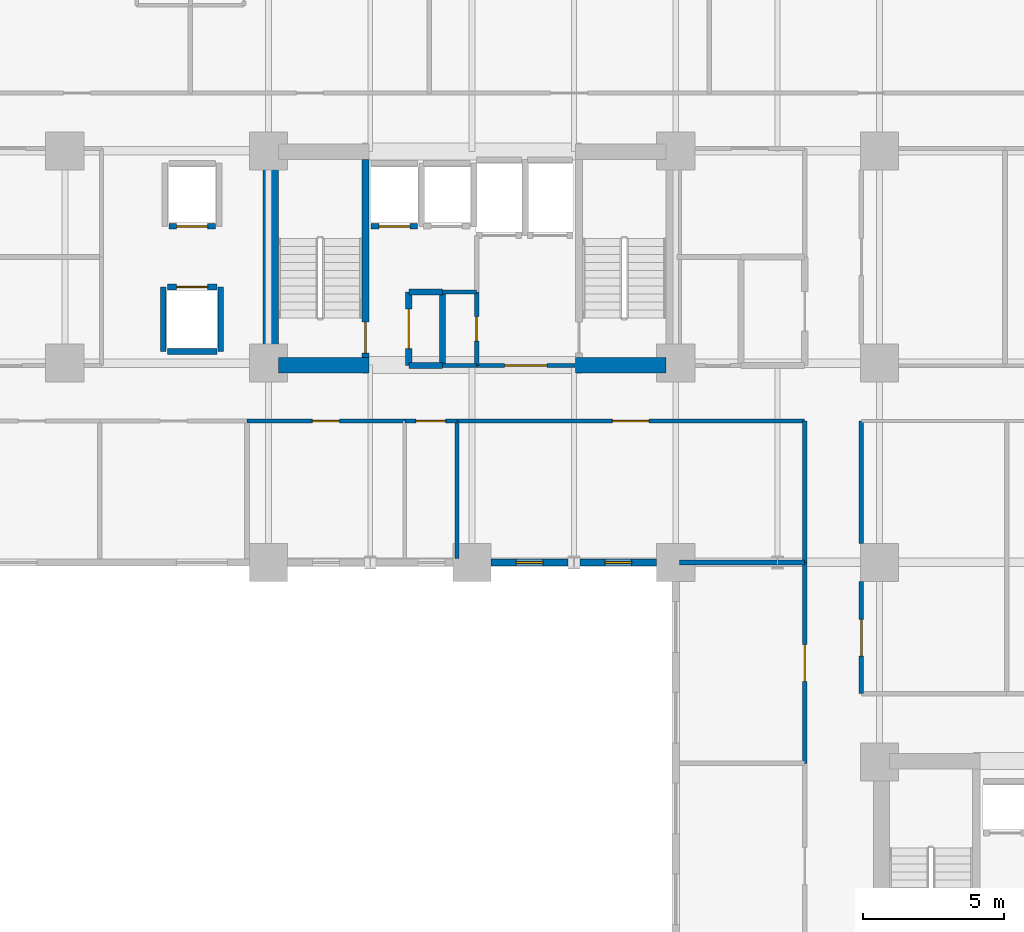
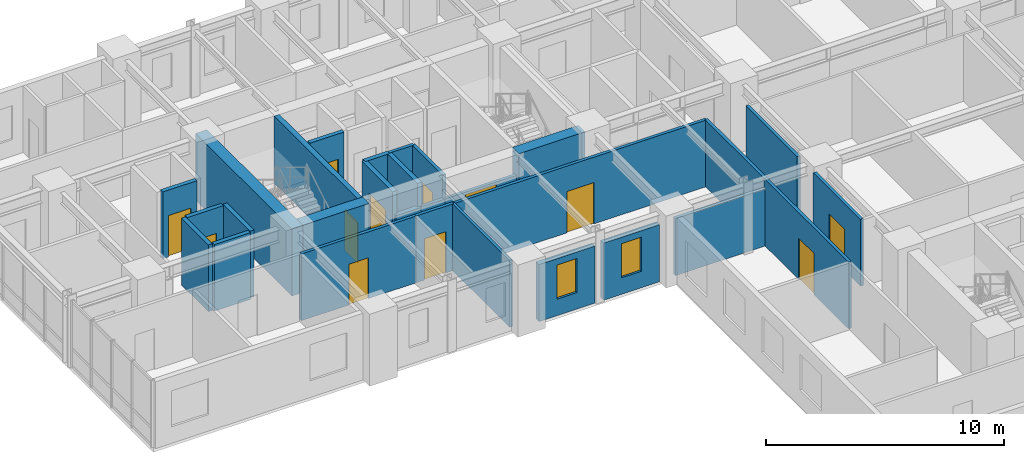
# One storey, part 11 of 19: 29 walls, 12 doors, 2 windows, 14 openings.
"""IFC4 building model written with IfcOpenShell, lengths in metres."""

from ifc_helpers import new_model, si_unit, direction, frame, frame_2d, origin, place, context, subcontext, project, spatial, rectangle, extrude, material, layer, layer_set, type_object, element, fill, save


model = new_model("IFC4")

# Units and contexts
model_context = context("Model", 3, precision=1e-05, world=origin(), true_north=direction((0.0, 1.0)))
body_context = subcontext(model_context, "Body", "Model", "MODEL_VIEW")
ifc_project = project(units=[si_unit("LENGTHUNIT", "METRE"), si_unit("AREAUNIT", "SQUARE_METRE"), si_unit("VOLUMEUNIT", "CUBIC_METRE"), si_unit("PLANEANGLEUNIT", "RADIAN"), si_unit("MASSUNIT", "GRAM", prefix="KILO")], contexts=[model_context])

# Site, building, storey
site_placement = place(None, origin())
site = spatial("IfcSite", under=ifc_project, at=site_placement, CompositionType="ELEMENT")
building_placement = place(site_placement, origin())
building = spatial("IfcBuilding", under=site, at=building_placement, Name="Kaliganga Portal Commons", CompositionType="ELEMENT")
storey_placement = place(building_placement, frame((0.0, 0.0, 47.5)))
storey = spatial("IfcBuildingStorey", under=building, at=storey_placement, Name="L11", CompositionType="ELEMENT", Elevation=47.5)

# Walls
ifc_material_1 = material(Name="Concrete C60/75", Category="concrete")
ifc_layer_1 = layer(ifc_material_1, 0.550048828125)
ifc_layer_set_1 = layer_set([ifc_layer_1], Name="Concrete C60/75")
wall_type_1 = type_object("IfcWallType", Name="WL-CORE-550", PredefinedType="SHEAR", material=ifc_layer_set_1)
wall_1_placement = place(storey_placement, frame((14.47509765625, 28.300048828125, 0.0), z_axis=(0.0, 0.0, 1.0), x_axis=(0.0, 1.0, 0.0)))
element("IfcWall", 1, at=wall_1_placement, inside=storey, type_object=wall_type_1, Name="Core A West Shear Wall L11", PredefinedType="SHEAR", context=body_context, shape_type="SweptSolid", body=[
    extrude(rectangle(XDim=8.099853515625, YDim=0.550048828125, at=frame_2d((4.0498046875, 0.0))), origin(), (0.0, 0.0, 1.0), 3.449951171875),
])
for number, where, z_axis, x_axis, name in (
    (2, (14.75, 28.574951171875, 0.0), (0.0, 0.0, 1.0), (1.0, 0.0, 0.0), "Core A S-West Shear Wall L11"),
    (3, (25.25, 28.574951171875, 0.0), (0.0, 0.0, 1.0), (1.0, 0.0, 0.0), "Core A S-East Shear Wall L11"),
):
    element("IfcWall", number, at=place(storey_placement, frame(where, z_axis=z_axis, x_axis=x_axis)), inside=storey, type_object=wall_type_1, Name=name, PredefinedType="SHEAR", context=body_context, shape_type="SweptSolid", body=[
        extrude(rectangle(XDim=3.199951171875, YDim=0.550048828125, at=frame_2d((1.60009765625, 0.0))), origin(), (0.0, 0.0, 1.0), 3.449951171875),
    ])

# Wall, opening, window
ifc_material_2 = material(Name="Insulated Aluminium-Clad Spandrel Assembly", Category="aluminium")
ifc_layer_2 = layer(ifc_material_2, 0.260009765625)
ifc_layer_set_2 = layer_set([ifc_layer_2], Name="Insulated Aluminium-Clad Spandrel Assembly")
wall_type_2 = type_object("IfcWallType", Name="WL-EXT-SPAND-260", PredefinedType="STANDARD", material=ifc_layer_set_2)
wall_2_placement = place(storey_placement, frame((24.990966796875, 21.60009765625, 0.0), z_axis=(0.0, 0.0, 1.0), x_axis=(-1.0, 0.0, 0.0)))
wall_2 = element("IfcWall", 4, at=wall_2_placement, inside=storey, type_object=wall_type_2, Name="Exterior Envelope Wall L11 P1-E04-S4", PredefinedType="STANDARD", context=body_context, shape_type="SweptSolid", body=[
    extrude(rectangle(XDim=2.715087890625, YDim=0.260009765625, at=frame_2d((1.357421875, 0.0))), origin(), (0.0, 0.0, 1.0), 2.929931640625),
])
opening_1_placement = place(wall_2_placement, frame((0.882568359375, 0.0, 0.85009765625)))
opening_1 = element("IfcOpeningElement", 5, at=opening_1_placement, cuts=wall_2, Name="Opening W-04", PredefinedType="OPENING", context=body_context, shape_type="SweptSolid", body=[
    extrude(rectangle(XDim=0.949951171875, YDim=1.75, at=frame_2d((0.47509765625, 0.875))), frame((0.0, 0.14013671875, 0.0), z_axis=(0.0, -1.0, 0.0), x_axis=(1.0, 0.0, 0.0)), (0.0, 0.0, 1.0), 0.280029296875),
])
ifc_material_3 = material(Name="Thermally Broken Aluminium and Low-E Double Glazing", Category="aluminium")
window_type = type_object("IfcWindowType", Name="WIN-NARROW-950", PartitioningType="SINGLE_PANEL", PredefinedType="WINDOW", material=ifc_material_3)
window_1_placement = place(opening_1_placement, origin())
window_1 = element("IfcWindow", 6, at=window_1_placement, inside=storey, type_object=window_type, Name="Facade Window L11-P1E04S4-00", OverallHeight=1.75, OverallWidth=0.949951171875, PartitioningType="SINGLE_PANEL", PredefinedType="WINDOW", context=body_context, shape_type="SweptSolid", body=[
    extrude(rectangle(XDim=0.949951171875, YDim=1.75, at=frame_2d((0.47509765625, 0.875))), frame((0.0, 0.030029296875, 0.0), z_axis=(0.0, -1.0, 0.0), x_axis=(1.0, 0.0, 0.0)), (0.0, 0.0, 1.0), 0.06005859375),
])
fill(opening_1, window_1)

wall_3_placement = place(storey_placement, frame((28.1240234375, 21.60009765625, 0.0), z_axis=(0.0, 0.0, 1.0), x_axis=(-1.0, 0.0, 0.0)))
wall_3 = element("IfcWall", 7, at=wall_3_placement, inside=storey, type_object=wall_type_2, Name="Exterior Envelope Wall L11 P1-E04-S5", PredefinedType="STANDARD", context=body_context, shape_type="SweptSolid", body=[
    extrude(rectangle(XDim=2.715087890625, YDim=0.260009765625, at=frame_2d((1.357421875, 0.0))), origin(), (0.0, 0.0, 1.0), 2.929931640625),
])
opening_2_placement = place(wall_3_placement, frame((0.882568359375, 0.0, 0.85009765625)))
opening_2 = element("IfcOpeningElement", 8, at=opening_2_placement, cuts=wall_3, Name="Opening W-04", PredefinedType="OPENING", context=body_context, shape_type="SweptSolid", body=[
    extrude(rectangle(XDim=0.949951171875, YDim=1.75, at=frame_2d((0.47509765625, 0.875))), frame((0.0, 0.14013671875, 0.0), z_axis=(0.0, -1.0, 0.0), x_axis=(1.0, 0.0, 0.0)), (0.0, 0.0, 1.0), 0.280029296875),
])
window_2_placement = place(opening_2_placement, origin())
window_2 = element("IfcWindow", 9, at=window_2_placement, inside=storey, type_object=window_type, Name="Facade Window L11-P1E04S5-00", OverallHeight=1.75, OverallWidth=0.949951171875, PartitioningType="SINGLE_PANEL", PredefinedType="WINDOW", context=body_context, shape_type="SweptSolid", body=[
    extrude(rectangle(XDim=0.949951171875, YDim=1.75, at=frame_2d((0.47509765625, 0.875))), frame((0.0, 0.030029296875, 0.0), z_axis=(0.0, -1.0, 0.0), x_axis=(1.0, 0.0, 0.0)), (0.0, 0.0, 1.0), 0.06005859375),
])
fill(opening_2, window_2)

# Wall, opening, door
ifc_material_4 = material(Name="Fire-Rated Gypsum Board on Steel Stud", Category="steel")
ifc_layer_3 = layer(ifc_material_4, 0.14990234375)
ifc_layer_set_3 = layer_set([ifc_layer_3], Name="Fire-Rated Gypsum Board on Steel Stud")
wall_type_3 = type_object("IfcWallType", Name="WL-PART-CORR-150", PredefinedType="PARTITIONING", material=ifc_layer_set_3)
wall_4_placement = place(storey_placement, frame((21.06005859375, 26.60009765625, 0.0), z_axis=(0.0, 0.0, 1.0), x_axis=(1.0, 0.0, 0.0)))
wall_4 = element("IfcWall", 10, at=wall_4_placement, inside=storey, type_object=wall_type_3, Name="Interior Partition L11-006", PredefinedType="PARTITIONING", context=body_context, shape_type="SweptSolid", body=[
    extrude(rectangle(XDim=12.300048828125, YDim=0.14990234375, at=frame_2d((6.14990234375, 0.0))), origin(), (0.0, 0.0, 1.0), 3.429931640625),
])
opening_3_placement = place(wall_4_placement, frame((5.5, 0.0, 0.0)))
opening_3 = element("IfcOpeningElement", 11, at=opening_3_placement, cuts=wall_4, Name="Opening RD-03", PredefinedType="OPENING", context=body_context, shape_type="SweptSolid", body=[
    extrude(rectangle(XDim=1.300048828125, YDim=2.1201171875, at=frame_2d((0.64990234375, 1.06005859375))), frame((0.0, 0.0849609375, 0.0), z_axis=(0.0, -1.0, 0.0), x_axis=(1.0, 0.0, 0.0)), (0.0, 0.0, 1.0), 0.169921875),
])
ifc_material_5 = material(Name="Glazed Timber Seminar Vision Door", Category="wood")
door_type_1 = type_object("IfcDoorType", Name="DR-STUDY-1300", OperationType="DOUBLE_DOOR_SINGLE_SWING", PredefinedType="DOOR", material=ifc_material_5)
door_1_placement = place(opening_3_placement, origin())
door_1 = element("IfcDoor", 12, at=door_1_placement, inside=storey, type_object=door_type_1, Name="Interior Door L11-AS05", OperationType="DOUBLE_DOOR_SINGLE_SWING", OverallHeight=2.1201171875, OverallWidth=1.300048828125, PredefinedType="DOOR", context=body_context, shape_type="SweptSolid", body=[
    extrude(rectangle(XDim=1.300048828125, YDim=2.1201171875, at=frame_2d((0.64990234375, 1.06005859375))), frame((0.0, 0.02490234375, 0.0), z_axis=(0.0, -1.0, 0.0), x_axis=(1.0, 0.0, 0.0)), (0.0, 0.0, 1.0), 0.050048828125),
])
fill(opening_3, door_1)

wall_5_placement = place(storey_placement, frame((35.360107421875, 16.9599609375, 0.0), z_axis=(0.0, 0.0, 1.0), x_axis=(0.0, 1.0, 0.0)))
wall_5 = element("IfcWall", 13, at=wall_5_placement, inside=storey, type_object=wall_type_3, Name="Interior Partition L11-010", PredefinedType="PARTITIONING", context=body_context, shape_type="SweptSolid", body=[
    extrude(rectangle(XDim=3.965087890625, YDim=0.14990234375, at=frame_2d((1.982421875, 0.0))), origin(), (0.0, 0.0, 1.0), 3.429931640625),
])
opening_4_placement = place(wall_5_placement, frame((1.33251953125, 0.0, 0.0)))
opening_4 = element("IfcOpeningElement", 14, at=opening_4_placement, cuts=wall_5, Name="Opening RD-03", PredefinedType="OPENING", context=body_context, shape_type="SweptSolid", body=[
    extrude(rectangle(XDim=1.300048828125, YDim=2.1201171875, at=frame_2d((0.64990234375, 1.06005859375))), frame((0.0, 0.0849609375, 0.0), z_axis=(0.0, -1.0, 0.0), x_axis=(1.0, 0.0, 0.0)), (0.0, 0.0, 1.0), 0.169921875),
])
door_2_placement = place(opening_4_placement, origin())
door_2 = element("IfcDoor", 15, at=door_2_placement, inside=storey, type_object=door_type_1, Name="Interior Door L11-BM01", OperationType="DOUBLE_DOOR_SINGLE_SWING", OverallHeight=2.1201171875, OverallWidth=1.300048828125, PredefinedType="DOOR", context=body_context, shape_type="SweptSolid", body=[
    extrude(rectangle(XDim=1.300048828125, YDim=2.1201171875, at=frame_2d((0.64990234375, 1.06005859375))), frame((0.0, 0.02490234375, 0.0), z_axis=(0.0, -1.0, 0.0), x_axis=(1.0, 0.0, 0.0)), (0.0, 0.0, 1.0), 0.050048828125),
])
fill(opening_4, door_2)

# Wall
wall_6_placement = place(storey_placement, frame((35.360107421875, 22.27490234375, 0.0), z_axis=(0.0, 0.0, 1.0), x_axis=(0.0, 1.0, 0.0)))
element("IfcWall", 16, at=wall_6_placement, inside=storey, type_object=wall_type_3, Name="Interior Partition L11-011", PredefinedType="PARTITIONING", context=body_context, shape_type="SweptSolid", body=[
    extrude(rectangle(XDim=4.3251953125, YDim=0.14990234375, at=frame_2d((2.16259765625, 0.0))), origin(), (0.0, 0.0, 1.0), 3.429931640625),
])

# Wall, opening, door
wall_7_placement = place(storey_placement, frame((33.360107421875, 14.5, 0.0), z_axis=(0.0, 0.0, 1.0), x_axis=(0.0, 1.0, 0.0)))
wall_7 = element("IfcWall", 17, at=wall_7_placement, inside=storey, type_object=wall_type_3, Name="Interior Partition L11-020", PredefinedType="PARTITIONING", context=body_context, shape_type="SweptSolid", body=[
    extrude(rectangle(XDim=7.10009765625, YDim=0.14990234375, at=frame_2d((3.550048828125, 0.0))), origin(), (0.0, 0.0, 1.0), 3.429931640625),
])
opening_5_placement = place(wall_7_placement, frame((2.89990234375, 0.0, 0.0)))
opening_5 = element("IfcOpeningElement", 18, at=opening_5_placement, cuts=wall_7, Name="Opening RD-03", PredefinedType="OPENING", context=body_context, shape_type="SweptSolid", body=[
    extrude(rectangle(XDim=1.300048828125, YDim=2.1201171875, at=frame_2d((0.64990234375, 1.06005859375))), frame((0.0, 0.0849609375, 0.0), z_axis=(0.0, -1.0, 0.0), x_axis=(1.0, 0.0, 0.0)), (0.0, 0.0, 1.0), 0.169921875),
])
door_3_placement = place(opening_5_placement, origin())
door_3 = element("IfcDoor", 19, at=door_3_placement, inside=storey, type_object=door_type_1, Name="Interior Door L11-KW02", OperationType="DOUBLE_DOOR_SINGLE_SWING", OverallHeight=2.1201171875, OverallWidth=1.300048828125, PredefinedType="DOOR", context=body_context, shape_type="SweptSolid", body=[
    extrude(rectangle(XDim=1.300048828125, YDim=2.1201171875, at=frame_2d((0.64990234375, 1.06005859375))), frame((0.0, 0.02490234375, 0.0), z_axis=(0.0, -1.0, 0.0), x_axis=(1.0, 0.0, 0.0)), (0.0, 0.0, 1.0), 0.050048828125),
])
fill(opening_5, door_3)

wall_8_placement = place(storey_placement, frame((13.639892578125, 26.60009765625, 0.0), z_axis=(0.0, 0.0, 1.0), x_axis=(1.0, 0.0, 0.0)))
wall_8 = element("IfcWall", 20, at=wall_8_placement, inside=storey, type_object=wall_type_3, Name="Interior Partition L11-028", PredefinedType="PARTITIONING", context=body_context, shape_type="SweptSolid", body=[
    extrude(rectangle(XDim=5.580078125, YDim=0.14990234375, at=frame_2d((2.7900390625, 0.0))), origin(), (0.0, 0.0, 1.0), 3.429931640625),
])
opening_6_placement = place(wall_8_placement, frame((2.31494140625, 0.0, 0.0)))
opening_6 = element("IfcOpeningElement", 21, at=opening_6_placement, cuts=wall_8, Name="Opening UD-01", PredefinedType="OPENING", context=body_context, shape_type="SweptSolid", body=[
    extrude(rectangle(XDim=0.949951171875, YDim=2.10009765625, at=frame_2d((0.47509765625, 1.050048828125))), frame((0.0, 0.0849609375, 0.0), z_axis=(0.0, -1.0, 0.0), x_axis=(1.0, 0.0, 0.0)), (0.0, 0.0, 1.0), 0.169921875),
])
ifc_material_6 = material(Name="Solid-Core Timber Acoustic Fire Door", Category="wood")
door_type_2 = type_object("IfcDoorType", Name="DR-UNIT-950", OperationType="NOTDEFINED", PredefinedType="DOOR", material=ifc_material_6)
door_4_placement = place(opening_6_placement, origin())
door_4 = element("IfcDoor", 22, at=door_4_placement, inside=storey, type_object=door_type_2, Name="Interior Door L11-AS03", OperationType="SINGLE_SWING_RIGHT", OverallHeight=2.10009765625, OverallWidth=0.949951171875, PredefinedType="DOOR", context=body_context, shape_type="SweptSolid", body=[
    extrude(rectangle(XDim=0.949951171875, YDim=2.10009765625, at=frame_2d((0.47509765625, 1.050048828125))), frame((0.0, 0.02490234375, 0.0), z_axis=(0.0, -1.0, 0.0), x_axis=(1.0, 0.0, 0.0)), (0.0, 0.0, 1.0), 0.050048828125),
])
fill(opening_6, door_4)

# Wall
wall_9_placement = place(storey_placement, frame((33.360107421875, 21.60009765625, 0.0), z_axis=(0.0, 0.0, 1.0), x_axis=(0.0, 1.0, 0.0)))
element("IfcWall", 23, at=wall_9_placement, inside=storey, type_object=wall_type_3, Name="Interior Partition L11-034", PredefinedType="PARTITIONING", context=body_context, shape_type="SweptSolid", body=[
    extrude(rectangle(XDim=5.0, YDim=0.14990234375, at=frame_2d((2.5, 0.0))), origin(), (0.0, 0.0, 1.0), 3.429931640625),
])

# Wall, opening, door
wall_10_placement = place(storey_placement, frame((21.760009765625, 28.56005859375, 0.0), z_axis=(0.0, 0.0, 1.0), x_axis=(0.0, 1.0, 0.0)))
wall_10 = element("IfcWall", 24, at=wall_10_placement, inside=storey, type_object=wall_type_3, Name="Interior Partition L11-050", PredefinedType="PARTITIONING", context=body_context, shape_type="SweptSolid", body=[
    extrude(rectangle(XDim=2.599853515625, YDim=0.14990234375, at=frame_2d((1.2998046875, 0.0))), origin(), (0.0, 0.0, 1.0), 3.429931640625),
])
opening_7_placement = place(wall_10_placement, frame((0.8701171875, 0.0, 0.0)))
opening_7 = element("IfcOpeningElement", 25, at=opening_7_placement, cuts=wall_10, Name="Opening WD-02", PredefinedType="OPENING", context=body_context, shape_type="SweptSolid", body=[
    extrude(rectangle(XDim=0.860107421875, YDim=2.02001953125, at=frame_2d((0.43017578125, 1.010009765625))), frame((0.0, 0.0849609375, 0.0), z_axis=(0.0, -1.0, 0.0), x_axis=(1.0, 0.0, 0.0)), (0.0, 0.0, 1.0), 0.169921875),
])
ifc_material_7 = material(Name="Fire-Rated Utility Closet Door", Category="wood")
door_type_3 = type_object("IfcDoorType", Name="DR-STORE-800", OperationType="NOTDEFINED", PredefinedType="DOOR", material=ifc_material_7)
door_5_placement = place(opening_7_placement, origin())
door_5 = element("IfcDoor", 26, at=door_5_placement, inside=storey, type_object=door_type_3, Name="Interior Door L11-CIN_A2", OperationType="SINGLE_SWING_LEFT", OverallHeight=2.02001953125, OverallWidth=0.860107421875, PredefinedType="DOOR", context=body_context, shape_type="SweptSolid", body=[
    extrude(rectangle(XDim=0.860107421875, YDim=2.02001953125, at=frame_2d((0.43017578125, 1.010009765625))), frame((0.0, 0.02490234375, 0.0), z_axis=(0.0, -1.0, 0.0), x_axis=(1.0, 0.0, 0.0)), (0.0, 0.0, 1.0), 0.050048828125),
])
fill(opening_7, door_5)

wall_11_placement = place(storey_placement, frame((19.219970703125, 26.60009765625, 0.0), z_axis=(0.0, 0.0, 1.0), x_axis=(1.0, 0.0, 0.0)))
wall_11 = element("IfcWall", 27, at=wall_11_placement, inside=storey, type_object=wall_type_3, Name="Interior Partition L11-054", PredefinedType="PARTITIONING", context=body_context, shape_type="SweptSolid", body=[
    extrude(rectangle(XDim=1.840087890625, YDim=0.14990234375, at=frame_2d((0.919921875, 0.0))), origin(), (0.0, 0.0, 1.0), 3.429931640625),
])
opening_8_placement = place(wall_11_placement, frame((0.39501953125, 0.0, 0.0)))
opening_8 = element("IfcOpeningElement", 28, at=opening_8_placement, cuts=wall_11, Name="Opening UD-02", PredefinedType="OPENING", context=body_context, shape_type="SweptSolid", body=[
    extrude(rectangle(XDim=1.050048828125, YDim=2.1201171875, at=frame_2d((0.52490234375, 1.06005859375))), frame((0.0, 0.0849609375, 0.0), z_axis=(0.0, -1.0, 0.0), x_axis=(1.0, 0.0, 0.0)), (0.0, 0.0, 1.0), 0.169921875),
])
ifc_material_8 = material(Name="Accessible Wide-Leaf Acoustic Fire Door", Category="wood")
door_type_4 = type_object("IfcDoorType", Name="DR-ACC-1050", OperationType="NOTDEFINED", PredefinedType="DOOR", material=ifc_material_8)
door_6_placement = place(opening_8_placement, origin())
door_6 = element("IfcDoor", 29, at=door_6_placement, inside=storey, type_object=door_type_4, Name="Interior Door L11-AS04", OperationType="SINGLE_SWING_RIGHT", OverallHeight=2.1201171875, OverallWidth=1.050048828125, PredefinedType="DOOR", context=body_context, shape_type="SweptSolid", body=[
    extrude(rectangle(XDim=1.050048828125, YDim=2.1201171875, at=frame_2d((0.52490234375, 1.06005859375))), frame((0.0, 0.02490234375, 0.0), z_axis=(0.0, -1.0, 0.0), x_axis=(1.0, 0.0, 0.0)), (0.0, 0.0, 1.0), 0.050048828125),
])
fill(opening_8, door_6)

# Walls
wall_12_placement = place(storey_placement, frame((20.56005859375, 28.56005859375, 0.0), z_axis=(0.0, 0.0, 1.0), x_axis=(1.0, 0.0, 0.0)))
element("IfcWall", 30, at=wall_12_placement, inside=storey, type_object=wall_type_3, Name="Interior Partition L11-055", PredefinedType="PARTITIONING", context=body_context, shape_type="SweptSolid", body=[
    extrude(rectangle(XDim=1.199951171875, YDim=0.14990234375, at=frame_2d((0.60009765625, 0.0))), origin(), (0.0, 0.0, 1.0), 2.22998046875),
])
wall_13_placement = place(storey_placement, frame((20.56005859375, 31.159912109375, 0.0), z_axis=(0.0, 0.0, 1.0), x_axis=(1.0, 0.0, 0.0)))
element("IfcWall", 31, at=wall_13_placement, inside=storey, type_object=wall_type_3, Name="Interior Partition L11-056", PredefinedType="PARTITIONING", context=body_context, shape_type="SweptSolid", body=[
    extrude(rectangle(XDim=1.199951171875, YDim=0.14990234375, at=frame_2d((0.60009765625, 0.0))), origin(), (0.0, 0.0, 1.0), 3.429931640625),
])

# Wall, opening, door
wall_14_placement = place(storey_placement, frame((21.760009765625, 28.56005859375, 0.0), z_axis=(0.0, 0.0, 1.0), x_axis=(1.0, 0.0, 0.0)))
wall_14 = element("IfcWall", 32, at=wall_14_placement, inside=storey, type_object=wall_type_3, Name="Interior Partition L11-088", PredefinedType="PARTITIONING", context=body_context, shape_type="SweptSolid", body=[
    extrude(rectangle(XDim=3.47998046875, YDim=0.14990234375, at=frame_2d((1.739990234375, 0.0))), origin(), (0.0, 0.0, 1.0), 2.22998046875),
])
opening_9_placement = place(wall_14_placement, frame((0.989990234375, 0.0, 0.0)))
opening_9 = element("IfcOpeningElement", 33, at=opening_9_placement, cuts=wall_14, Name="Opening FD-01", PredefinedType="OPENING", context=body_context, shape_type="SweptSolid", body=[
    extrude(rectangle(XDim=1.5, YDim=2.10009765625, at=frame_2d((0.75, 1.050048828125))), frame((0.0, 0.0849609375, 0.0), z_axis=(0.0, -1.0, 0.0), x_axis=(1.0, 0.0, 0.0)), (0.0, 0.0, 1.0), 0.169921875),
])
ifc_material_9 = material(Name="Fire-Rated Hardwood and Georgian-Wired Vision Panel", Category="wood")
door_type_5 = type_object("IfcDoorType", Name="DR-LOBBY-1500", OperationType="DOUBLE_DOOR_SINGLE_SWING", PredefinedType="DOOR", material=ifc_material_9)
door_7_placement = place(opening_9_placement, origin())
door_7 = element("IfcDoor", 34, at=door_7_placement, inside=storey, type_object=door_type_5, Name="Interior Door L11-FFLOB_A", OperationType="DOUBLE_DOOR_SINGLE_SWING", OverallHeight=2.10009765625, OverallWidth=1.5, PredefinedType="DOOR", context=body_context, shape_type="SweptSolid", body=[
    extrude(rectangle(XDim=1.5, YDim=2.10009765625, at=frame_2d((0.75, 1.050048828125))), frame((0.0, 0.02490234375, 0.0), z_axis=(0.0, -1.0, 0.0), x_axis=(1.0, 0.0, 0.0)), (0.0, 0.0, 1.0), 0.050048828125),
])
fill(opening_9, door_7)

ifc_material_10 = material(Name="Lightweight blockwork masonry", Category="masonry")
ifc_layer_4 = layer(ifc_material_10, 0.215087890625)
ifc_layer_set_4 = layer_set([ifc_layer_4], Name="Lightweight blockwork masonry")
wall_type_4 = type_object("IfcWallType", Name="WL-PART-PLANT-215", PredefinedType="PARTITIONING", material=ifc_layer_set_4)
wall_15_placement = place(storey_placement, frame((19.360107421875, 28.56005859375, 0.0), z_axis=(0.0, 0.0, 1.0), x_axis=(0.0, 1.0, 0.0)))
wall_15 = element("IfcWall", 35, at=wall_15_placement, inside=storey, type_object=wall_type_4, Name="Interior Partition L11-049", PredefinedType="PARTITIONING", context=body_context, shape_type="SweptSolid", body=[
    extrude(rectangle(XDim=2.599853515625, YDim=0.215087890625, at=frame_2d((1.2998046875, 0.0))), origin(), (0.0, 0.0, 1.0), 3.429931640625),
])
opening_10_placement = place(wall_15_placement, frame((0.60009765625, 0.0, 0.0)))
opening_10 = element("IfcOpeningElement", 36, at=opening_10_placement, cuts=wall_15, Name="Opening PD-01", PredefinedType="OPENING", context=body_context, shape_type="SweptSolid", body=[
    extrude(rectangle(XDim=1.39990234375, YDim=2.14990234375, at=frame_2d((0.699951171875, 1.074951171875))), frame((0.0, 0.11767578125, 0.0), z_axis=(0.0, -1.0, 0.0), x_axis=(1.0, 0.0, 0.0)), (0.0, 0.0, 1.0), 0.235107421875),
])
ifc_material_11 = material(Name="Heavy-Duty Steel Acoustic Louvre Fire Door", Category="steel")
door_type_6 = type_object("IfcDoorType", Name="DR-PLANT-1400", OperationType="DOUBLE_DOOR_SINGLE_SWING", PredefinedType="DOOR", material=ifc_material_11)
door_8_placement = place(opening_10_placement, origin())
door_8 = element("IfcDoor", 37, at=door_8_placement, inside=storey, type_object=door_type_6, Name="Interior Door L11-CIN_A1", OperationType="DOUBLE_DOOR_SINGLE_SWING", OverallHeight=2.14990234375, OverallWidth=1.39990234375, PredefinedType="DOOR", context=body_context, shape_type="SweptSolid", body=[
    extrude(rectangle(XDim=1.39990234375, YDim=2.14990234375, at=frame_2d((0.699951171875, 1.074951171875))), frame((0.0, 0.02490234375, 0.0), z_axis=(0.0, -1.0, 0.0), x_axis=(1.0, 0.0, 0.0)), (0.0, 0.0, 1.0), 0.050048828125),
])
fill(opening_10, door_8)

# Walls
wall_16_placement = place(storey_placement, frame((19.360107421875, 28.56005859375, 0.0), z_axis=(0.0, 0.0, 1.0), x_axis=(1.0, 0.0, 0.0)))
element("IfcWall", 38, at=wall_16_placement, inside=storey, type_object=wall_type_4, Name="Interior Partition L11-057", PredefinedType="PARTITIONING", context=body_context, shape_type="SweptSolid", body=[
    extrude(rectangle(XDim=1.199951171875, YDim=0.215087890625, at=frame_2d((0.60009765625, 0.0))), origin(), (0.0, 0.0, 1.0), 2.22998046875),
])
wall_17_placement = place(storey_placement, frame((19.360107421875, 31.159912109375, 0.0), z_axis=(0.0, 0.0, 1.0), x_axis=(1.0, 0.0, 0.0)))
element("IfcWall", 39, at=wall_17_placement, inside=storey, type_object=wall_type_4, Name="Interior Partition L11-058", PredefinedType="PARTITIONING", context=body_context, shape_type="SweptSolid", body=[
    extrude(rectangle(XDim=1.199951171875, YDim=0.215087890625, at=frame_2d((0.60009765625, 0.0))), origin(), (0.0, 0.0, 1.0), 3.429931640625),
])
wall_18_placement = place(storey_placement, frame((20.56005859375, 28.56005859375, 0.0), z_axis=(0.0, 0.0, 1.0), x_axis=(0.0, 1.0, 0.0)))
element("IfcWall", 40, at=wall_18_placement, inside=storey, type_object=wall_type_4, Name="Interior Partition L11-092", PredefinedType="PARTITIONING", context=body_context, shape_type="SweptSolid", body=[
    extrude(rectangle(XDim=2.599853515625, YDim=0.215087890625, at=frame_2d((1.2998046875, 0.0))), origin(), (0.0, 0.0, 1.0), 3.429931640625),
])
ifc_material_12 = material(Name="Twin-Stud Acoustic Gypsum Partition", Category="gypsum")
ifc_layer_5 = layer(ifc_material_12, 0.1650390625)
ifc_layer_set_5 = layer_set([ifc_layer_5], Name="Twin-Stud Acoustic Gypsum Partition")
wall_type_5 = type_object("IfcWallType", Name="WL-PART-UNIT-165", PredefinedType="PARTITIONING", material=ifc_layer_set_5)
wall_19_placement = place(storey_placement, frame((28.931884765625, 21.60009765625, 0.0), z_axis=(0.0, 0.0, 1.0), x_axis=(1.0, 0.0, 0.0)))
element("IfcWall", 41, at=wall_19_placement, inside=storey, type_object=wall_type_5, Name="Interior Partition L11-084", PredefinedType="PARTITIONING", context=body_context, shape_type="SweptSolid", body=[
    extrude(rectangle(XDim=4.42822265625, YDim=0.1650390625, at=frame_2d((2.214111328125, 0.0))), origin(), (0.0, 0.0, 1.0), 2.929931640625),
])
ifc_material_13 = material(Name="Cement-Board Wet-Room Partition", Category="gypsum")
ifc_layer_6 = layer(ifc_material_13, 0.135009765625)
ifc_layer_set_6 = layer_set([ifc_layer_6], Name="Cement-Board Wet-Room Partition")
wall_type_6 = type_object("IfcWallType", Name="WL-PART-WET-135", PredefinedType="PARTITIONING", material=ifc_layer_set_6)
wall_20_placement = place(storey_placement, frame((21.06005859375, 21.73193359375, 0.0), z_axis=(0.0, 0.0, 1.0), x_axis=(0.0, 1.0, 0.0)))
element("IfcWall", 42, at=wall_20_placement, inside=storey, type_object=wall_type_6, Name="Interior Partition L11-076", PredefinedType="PARTITIONING", context=body_context, shape_type="SweptSolid", body=[
    extrude(rectangle(XDim=4.8681640625, YDim=0.135009765625, at=frame_2d((2.43408203125, 0.0))), origin(), (0.0, 0.0, 1.0), 3.429931640625),
])

# Wall, opening, door
ifc_material_14 = material(Name="Fire-Rated Shaftwall Masonry Assembly", Category="masonry")
ifc_layer_7 = layer(ifc_material_14, 0.199951171875)
ifc_layer_set_7 = layer_set([ifc_layer_7], Name="Fire-Rated Shaftwall Masonry Assembly")
wall_type_7 = type_object("IfcWallType", Name="WL-SHAFT-200", PredefinedType="PARTITIONING", material=ifc_layer_set_7)
wall_21_placement = place(storey_placement, frame((18.02490234375, 33.485107421875, 0.0), z_axis=(0.0, 0.0, 1.0), x_axis=(1.0, 0.0, 0.0)))
wall_21 = element("IfcWall", 43, at=wall_21_placement, inside=storey, type_object=wall_type_7, Name="Lift PL-A1 Hoistway Shaft Wall L11-S", PredefinedType="PARTITIONING", context=body_context, shape_type="SweptSolid", body=[
    extrude(rectangle(XDim=1.650146484375, YDim=0.199951171875, at=frame_2d((0.8251953125, 0.0))), origin(), (0.0, 0.0, 1.0), 3.429931640625),
])
opening_11_placement = place(wall_21_placement, frame((0.27490234375, 0.0, 0.0)))
opening_11 = element("IfcOpeningElement", 44, at=opening_11_placement, cuts=wall_21, Name="Opening LD-01", PredefinedType="OPENING", context=body_context, shape_type="SweptSolid", body=[
    extrude(rectangle(XDim=1.10009765625, YDim=2.1201171875, at=frame_2d((0.550048828125, 1.06005859375))), frame((0.0, 0.10986328125, 0.0), z_axis=(0.0, -1.0, 0.0), x_axis=(1.0, 0.0, 0.0)), (0.0, 0.0, 1.0), 0.219970703125),
])
ifc_material_15 = material(Name="Brushed Stainless Steel 316 Lift Landing Door", Category="steel")
door_type_7 = type_object("IfcDoorType", Name="DR-LIFT-1100", OperationType="SLIDING_TO_LEFT", PredefinedType="DOOR", material=ifc_material_15)
door_9_placement = place(opening_11_placement, origin())
door_9 = element("IfcDoor", 45, at=door_9_placement, inside=storey, type_object=door_type_7, Name="Lift PL-A1 Sliding Landing Door L11", OperationType="SLIDING_TO_LEFT", OverallHeight=2.1201171875, OverallWidth=1.10009765625, PredefinedType="DOOR", context=body_context, shape_type="SweptSolid", body=[
    extrude(rectangle(XDim=1.10009765625, YDim=2.1201171875, at=frame_2d((0.550048828125, 1.06005859375))), frame((0.0, 0.02490234375, 0.0), z_axis=(0.0, -1.0, 0.0), x_axis=(1.0, 0.0, 0.0)), (0.0, 0.0, 1.0), 0.050048828125),
])
fill(opening_11, door_9)

# Wall
wall_22_placement = place(storey_placement, frame((10.824951171875, 29.06005859375, 0.0), z_axis=(0.0, 0.0, 1.0), x_axis=(1.0, 0.0, 0.0)))
element("IfcWall", 46, at=wall_22_placement, inside=storey, type_object=wall_type_7, Name="Lift SH-1 Hoistway Shaft Wall L11-S", PredefinedType="PARTITIONING", context=body_context, shape_type="SweptSolid", body=[
    extrude(rectangle(XDim=1.75, YDim=0.199951171875, at=frame_2d((0.875, 0.0))), origin(), (0.0, 0.0, 1.0), 3.429931640625),
])

# Wall, opening, door
wall_23_placement = place(storey_placement, frame((10.824951171875, 31.340087890625, 0.0), z_axis=(0.0, 0.0, 1.0), x_axis=(1.0, 0.0, 0.0)))
wall_23 = element("IfcWall", 47, at=wall_23_placement, inside=storey, type_object=wall_type_7, Name="Lift SH-1 Hoistway Shaft Wall L11-N", PredefinedType="PARTITIONING", context=body_context, shape_type="SweptSolid", body=[
    extrude(rectangle(XDim=1.75, YDim=0.199951171875, at=frame_2d((0.875, 0.0))), origin(), (0.0, 0.0, 1.0), 3.429931640625),
])
opening_12_placement = place(wall_23_placement, frame((0.324951171875, 0.0, 0.0)))
opening_12 = element("IfcOpeningElement", 48, at=opening_12_placement, cuts=wall_23, Name="Opening LD-01", PredefinedType="OPENING", context=body_context, shape_type="SweptSolid", body=[
    extrude(rectangle(XDim=1.10009765625, YDim=2.1201171875, at=frame_2d((0.550048828125, 1.06005859375))), frame((0.0, 0.10986328125, 0.0), z_axis=(0.0, -1.0, 0.0), x_axis=(1.0, 0.0, 0.0)), (0.0, 0.0, 1.0), 0.219970703125),
])
door_10_placement = place(opening_12_placement, origin())
door_10 = element("IfcDoor", 49, at=door_10_placement, inside=storey, type_object=door_type_7, Name="Lift SH-1 Sliding Landing Door L11", OperationType="SLIDING_TO_LEFT", OverallHeight=2.1201171875, OverallWidth=1.10009765625, PredefinedType="DOOR", context=body_context, shape_type="SweptSolid", body=[
    extrude(rectangle(XDim=1.10009765625, YDim=2.1201171875, at=frame_2d((0.550048828125, 1.06005859375))), frame((0.0, 0.02490234375, 0.0), z_axis=(0.0, -1.0, 0.0), x_axis=(1.0, 0.0, 0.0)), (0.0, 0.0, 1.0), 0.050048828125),
])
fill(opening_12, door_10)

# Walls
for number, where, z_axis, x_axis, name in (
    (50, (10.68505859375, 29.06005859375, 0.0), (0.0, 0.0, 1.0), (0.0, 1.0, 0.0), "Lift SH-1 Hoistway Shaft Wall L11-W"),
    (51, (12.715087890625, 29.06005859375, 0.0), (0.0, 0.0, 1.0), (0.0, 1.0, 0.0), "Lift SH-1 Hoistway Shaft Wall L11-E"),
):
    element("IfcWall", number, at=place(storey_placement, frame(where, z_axis=z_axis, x_axis=x_axis)), inside=storey, type_object=wall_type_7, Name=name, PredefinedType="PARTITIONING", context=body_context, shape_type="SweptSolid", body=[
        extrude(rectangle(XDim=2.280029296875, YDim=0.199951171875, at=frame_2d((1.14013671875, 0.0))), origin(), (0.0, 0.0, 1.0), 3.429931640625),
    ])

# Wall, opening, door
wall_24_placement = place(storey_placement, frame((10.875, 33.485107421875, 0.0), z_axis=(0.0, 0.0, 1.0), x_axis=(1.0, 0.0, 0.0)))
wall_24 = element("IfcWall", 52, at=wall_24_placement, inside=storey, type_object=wall_type_7, Name="Lift PL-OBS Hoistway Shaft Wall L11-S", PredefinedType="PARTITIONING", context=body_context, shape_type="SweptSolid", body=[
    extrude(rectangle(XDim=1.64990234375, YDim=0.199951171875, at=frame_2d((0.824951171875, 0.0))), origin(), (0.0, 0.0, 1.0), 3.429931640625),
])
opening_13_placement = place(wall_24_placement, frame((0.27490234375, 0.0, 0.0)))
opening_13 = element("IfcOpeningElement", 53, at=opening_13_placement, cuts=wall_24, Name="Opening LD-01", PredefinedType="OPENING", context=body_context, shape_type="SweptSolid", body=[
    extrude(rectangle(XDim=1.10009765625, YDim=2.1201171875, at=frame_2d((0.550048828125, 1.06005859375))), frame((0.0, 0.10986328125, 0.0), z_axis=(0.0, -1.0, 0.0), x_axis=(1.0, 0.0, 0.0)), (0.0, 0.0, 1.0), 0.219970703125),
])
door_11_placement = place(opening_13_placement, origin())
door_11 = element("IfcDoor", 54, at=door_11_placement, inside=storey, type_object=door_type_7, Name="Lift PL-OBS Sliding Landing Door L11", OperationType="SLIDING_TO_LEFT", OverallHeight=2.1201171875, OverallWidth=1.10009765625, PredefinedType="DOOR", context=body_context, shape_type="SweptSolid", body=[
    extrude(rectangle(XDim=1.10009765625, YDim=2.1201171875, at=frame_2d((0.550048828125, 1.06005859375))), frame((0.0, 0.02490234375, 0.0), z_axis=(0.0, -1.0, 0.0), x_axis=(1.0, 0.0, 0.0)), (0.0, 0.0, 1.0), 0.050048828125),
])
fill(opening_13, door_11)

ifc_material_16 = material(Name="Concrete C50/60", Category="concrete")
ifc_layer_8 = layer(ifc_material_16, 0.25)
ifc_layer_set_8 = layer_set([ifc_layer_8], Name="Concrete C50/60")
wall_type_8 = type_object("IfcWallType", Name="WL-STAIR-250", PredefinedType="SHEAR", material=ifc_layer_set_8)
wall_25_placement = place(storey_placement, frame((17.824951171875, 28.85009765625, 0.0), z_axis=(0.0, 0.0, 1.0), x_axis=(0.0, 1.0, 0.0)))
wall_25 = element("IfcWall", 55, at=wall_25_placement, inside=storey, type_object=wall_type_8, Name="Stair A1 Enclosure Shear Wall L11", PredefinedType="SHEAR", context=body_context, shape_type="SweptSolid", body=[
    extrude(rectangle(XDim=7.0, YDim=0.25, at=frame_2d((3.5, 0.0))), origin(), (0.0, 0.0, 1.0), 3.449951171875),
])
opening_14_placement = place(wall_25_placement, frame((0.14990234375, 0.0, 0.0)))
opening_14 = element("IfcOpeningElement", 56, at=opening_14_placement, cuts=wall_25, Name="Opening SD-01", PredefinedType="OPENING", context=body_context, shape_type="SweptSolid", body=[
    extrude(rectangle(XDim=1.10009765625, YDim=2.080078125, at=frame_2d((0.550048828125, 1.0400390625))), frame((0.0, 0.135009765625, 0.0), z_axis=(0.0, -1.0, 0.0), x_axis=(1.0, 0.0, 0.0)), (0.0, 0.0, 1.0), 0.27001953125),
])
ifc_material_17 = material(Name="Galvanized Steel Fire Door Leaf and Frame", Category="steel")
door_type_8 = type_object("IfcDoorType", Name="DR-STAIR-1100", OperationType="NOTDEFINED", PredefinedType="DOOR", material=ifc_material_17)
door_12_placement = place(opening_14_placement, origin())
door_12 = element("IfcDoor", 57, at=door_12_placement, inside=storey, type_object=door_type_8, Name="Protected Stair ST-A1 Fire Door L11", OperationType="SINGLE_SWING_LEFT", OverallHeight=2.080078125, OverallWidth=1.10009765625, PredefinedType="DOOR", context=body_context, shape_type="SweptSolid", body=[
    extrude(rectangle(XDim=1.10009765625, YDim=2.080078125, at=frame_2d((0.550048828125, 1.0400390625))), frame((0.0, 0.02490234375, 0.0), z_axis=(0.0, -1.0, 0.0), x_axis=(1.0, 0.0, 0.0)), (0.0, 0.0, 1.0), 0.050048828125),
])
fill(opening_14, door_12)

save(model, "model.ifc")
